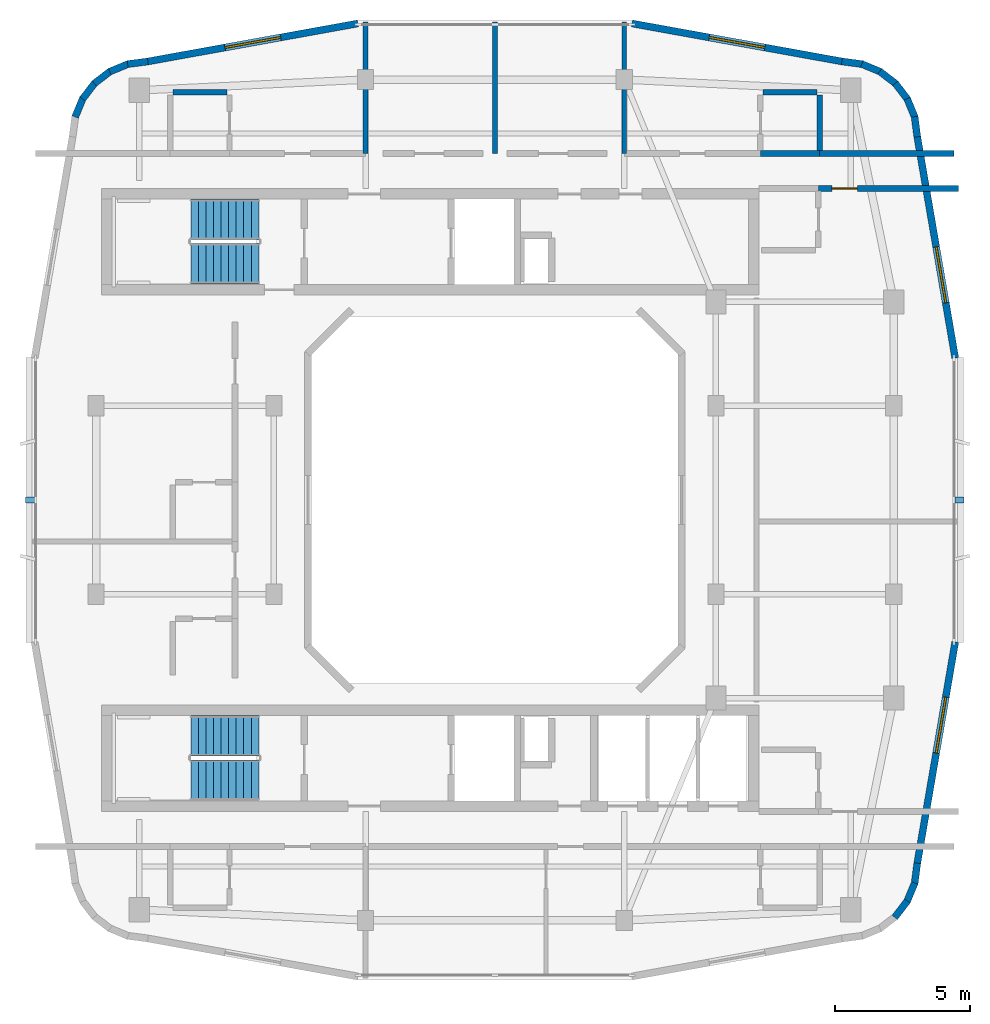
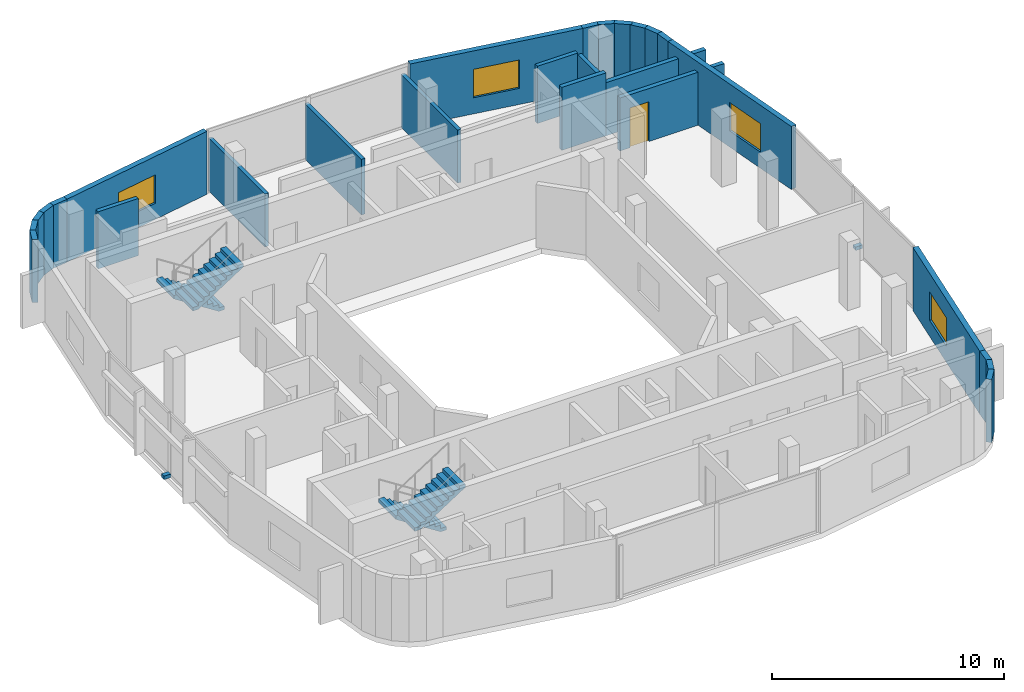
# One storey, part 6 of 8: 27 walls, 4 stair flights, 4 windows, 2 discrete accessories, 1 door, 5 openings, 2 elements without a shape of their own.
"""IFC4 building model written with IfcOpenShell, lengths in metres."""

from ifc_helpers import new_model, si_unit, derived_unit, direction, frame, frame_2d, origin, origin_2d, place, context, subcontext, project, spatial, polyline, rectangle, outline, extrude, material, layer, layer_set, type_object, element, fill, aggregate, save


model = new_model("IFC4")

# Units and contexts
model_context = context("Model", 3, precision=1e-05, world=origin(), true_north=direction((0.0, 1.0)))
body_context = subcontext(model_context, "Body", "Model", "MODEL_VIEW")
ifc_project = project(units=[si_unit("LENGTHUNIT", "METRE"), si_unit("AREAUNIT", "SQUARE_METRE"), si_unit("VOLUMEUNIT", "CUBIC_METRE"), si_unit("PLANEANGLEUNIT", "RADIAN"), si_unit("MASSUNIT", "GRAM", prefix="KILO"), derived_unit("THERMALTRANSMITTANCEUNIT", [(si_unit("POWERUNIT", "WATT"), 1), (si_unit("LENGTHUNIT", "METRE"), -2), (si_unit("THERMODYNAMICTEMPERATUREUNIT", "KELVIN"), -1)])], contexts=[model_context])

# Site, building, storey
site_placement = place(None, origin())
site = spatial("IfcSite", under=ifc_project, at=site_placement, CompositionType="ELEMENT")
building_placement = place(site_placement, origin())
building = spatial("IfcBuilding", under=site, at=building_placement, Name="Kivonza Crest Hotel", CompositionType="ELEMENT")
storey_placement = place(building_placement, frame((0.0, 0.0, 261.199951171875)))
storey = spatial("IfcBuildingStorey", under=building, at=storey_placement, Name="L71", CompositionType="ELEMENT", Elevation=261.199951171875)

# Walls
ifc_material_1 = material(Name="High-density acoustic masonry inter-tenancy wall", Category="masonry")
ifc_layer_1 = layer(ifc_material_1, 0.179931640625)
ifc_layer_set_1 = layer_set([ifc_layer_1], Name="High-density acoustic masonry inter-tenancy wall")
wall_type_1 = type_object("IfcWallType", Name="WL-ACOU-180", PredefinedType="SOLIDWALL", material=ifc_layer_set_1)
wall_1_placement = place(storey_placement, frame((16.199951171875, 37.860107421875, 0.0), z_axis=(0.0, 0.0, 1.0), x_axis=(0.0, 1.0, 0.0)))
element("IfcWall", 1, at=wall_1_placement, inside=storey, type_object=wall_type_1, Name="L71 interior partition WA-L71-T1N-DIV1", PredefinedType="SOLIDWALL", context=body_context, shape_type="SweptSolid", body=[
    extrude(rectangle(XDim=4.8798828125, YDim=0.179931640625, at=frame_2d((2.43994140625, 0.0))), origin(), (0.0, 0.0, 1.0), 2.795166015625),
])
wall_2_placement = place(storey_placement, frame((21.0, 37.860107421875, 0.0), z_axis=(0.0, 0.0, 1.0), x_axis=(0.0, 1.0, 0.0)))
element("IfcWall", 2, at=wall_2_placement, inside=storey, type_object=wall_type_1, Name="L71 interior partition WA-L71-T1N-SPDIV70", PredefinedType="SOLIDWALL", context=body_context, shape_type="SweptSolid", body=[
    extrude(rectangle(XDim=4.8798828125, YDim=0.179931640625, at=frame_2d((2.43994140625, 0.0))), origin(), (0.0, 0.0, 1.0), 2.93505859375),
])
wall_3_placement = place(storey_placement, frame((25.800048828125, 37.860107421875, 0.0), z_axis=(0.0, 0.0, 1.0), x_axis=(0.0, 1.0, 0.0)))
element("IfcWall", 3, at=wall_3_placement, inside=storey, type_object=wall_type_1, Name="L71 interior partition WA-L71-T1N-DIV2", PredefinedType="SOLIDWALL", context=body_context, shape_type="SweptSolid", body=[
    extrude(rectangle(XDim=4.8798828125, YDim=0.179931640625, at=frame_2d((2.43994140625, 0.0))), origin(), (0.0, 0.0, 1.0), 2.795166015625),
])
ifc_material_2 = material(Name="Autoclaved aerated concrete blockwork", Category="masonry")
ifc_layer_2 = layer(ifc_material_2, 0.219970703125)
ifc_layer_set_2 = layer_set([ifc_layer_2], Name="Autoclaved aerated concrete blockwork")
wall_type_2 = type_object("IfcWallType", Name="WL-ACOU-220", PredefinedType="SOLIDWALL", material=ifc_layer_set_2)
wall_4_placement = place(storey_placement, frame((33.050048828125, 37.860107421875, 0.0), z_axis=(0.0, 0.0, 1.0), x_axis=(1.0, 0.0, 0.0)))
element("IfcWall", 4, at=wall_4_placement, inside=storey, type_object=wall_type_2, Name="L71 interior partition WA-L71-N02-XCORR", PredefinedType="SOLIDWALL", context=body_context, shape_type="SweptSolid", body=[
    extrude(rectangle(XDim=4.989990234375, YDim=0.219970703125, at=frame_2d((2.4951171875, 0.0))), origin(), (0.0, 0.0, 1.0), 2.795166015625),
])
wall_5_placement = place(storey_placement, frame((30.85009765625, 37.860107421875, 0.0), z_axis=(0.0, 0.0, 1.0), x_axis=(1.0, 0.0, 0.0)))
element("IfcWall", 5, at=wall_5_placement, inside=storey, type_object=wall_type_2, Name="L71 interior partition WA-L71-N02-BCORR", PredefinedType="SOLIDWALL", context=body_context, shape_type="SweptSolid", body=[
    extrude(rectangle(XDim=2.199951171875, YDim=0.219970703125, at=frame_2d((1.10009765625, 0.0))), origin(), (0.0, 0.0, 1.0), 3.320068359375),
])

# Wall, opening, door
wall_6_placement = place(storey_placement, frame((33.0, 36.56005859375, 0.0), z_axis=(0.0, 0.0, 1.0), x_axis=(1.0, 0.0, 0.0)))
wall_6 = element("IfcWall", 6, at=wall_6_placement, inside=storey, type_object=wall_type_2, Name="L71 interior partition WA-L71-EN08-MCORR", PredefinedType="SOLIDWALL", context=body_context, shape_type="SweptSolid", body=[
    extrude(rectangle(XDim=5.199951171875, YDim=0.219970703125, at=frame_2d((2.60009765625, 0.0))), origin(), (0.0, 0.0, 1.0), 2.795166015625),
])
opening_1_placement = place(wall_6_placement, frame((0.5, 0.0, 0.0)))
opening_1 = element("IfcOpeningElement", 7, at=opening_1_placement, cuts=wall_6, Name="Opening DU-60", PredefinedType="OPENING", context=body_context, shape_type="SweptSolid", body=[
    extrude(rectangle(XDim=0.949951171875, YDim=2.10009765625, at=frame_2d((0.47509765625, 1.050048828125))), frame((0.0, 0.1201171875, 0.0), z_axis=(0.0, -1.0, 0.0), x_axis=(1.0, 0.0, 0.0)), (0.0, 0.0, 1.0), 0.239990234375),
])
ifc_material_3 = material(Name="Hardwood timber oak", Category="wood")
door_type = type_object("IfcDoorType", Name="DR-UNIT-950", OperationType="NOTDEFINED", PredefinedType="DOOR", material=ifc_material_3)
door_placement = place(opening_1_placement, frame((0.949951171875, 0.0, 0.0), z_axis=(0.0, 0.0, 1.0), x_axis=(-1.0, 0.0, 0.0)))
door = element("IfcDoor", 8, at=door_placement, inside=storey, type_object=door_type, Name="L71 EN08 guest unit entrance fire door", OperationType="SINGLE_SWING_LEFT", OverallHeight=2.10009765625, OverallWidth=0.949951171875, PredefinedType="DOOR", context=body_context, shape_type="SweptSolid", body=[
    extrude(rectangle(XDim=0.949951171875, YDim=2.10009765625, at=frame_2d((0.47509765625, 1.050048828125))), frame((0.0, 0.02490234375, 0.0), z_axis=(0.0, -1.0, 0.0), x_axis=(1.0, 0.0, 0.0)), (0.0, 0.0, 1.0), 0.050048828125),
])
fill(opening_1, door)

# Walls
ifc_material_4 = material(Name="Precast concrete C40/50", Category="concrete")
ifc_layer_3 = layer(ifc_material_4, 0.260009765625)
ifc_layer_set_3 = layer_set([ifc_layer_3], Name="Precast concrete C40/50")
wall_type_3 = type_object("IfcWallType", Name="WL-EXT-260", PredefinedType="STANDARD", material=ifc_layer_set_3)
for number, where, z_axis, x_axis, name in (
    (9, (35.8330078125, 9.508056640625, 0.0), (0.0, 0.0, 1.0), (0.607614460654, 0.794232124259, 0.0), "L71 T1 exterior insulated wall 13"),
    (10, (36.281005859375, 10.076904296875, 0.0), (0.0, 0.0, 1.0), (0.383245345798, 0.923646580096, 0.0), "L71 T1 exterior insulated wall 14"),
):
    element("IfcWall", number, at=place(storey_placement, frame(where, z_axis=z_axis, x_axis=x_axis)), inside=storey, type_object=wall_type_3, Name=name, PredefinedType="STANDARD", context=body_context, shape_type="SweptSolid", body=[
        extrude(rectangle(XDim=0.77197265625, YDim=0.260009765625, at=frame_2d((0.385986328125, 0.0))), origin(), (0.0, 0.0, 1.0), 3.320068359375),
    ])
wall_7_placement = place(storey_placement, frame((36.569091796875, 10.740966796875, 0.0), z_axis=(0.0, 0.0, 1.0), x_axis=(0.130302751316, 0.991474252313, 0.0)))
element("IfcWall", 11, at=wall_7_placement, inside=storey, type_object=wall_type_3, Name="L71 T1 exterior insulated wall 15", PredefinedType="STANDARD", context=body_context, shape_type="SweptSolid", body=[
    extrude(rectangle(XDim=0.790771484375, YDim=0.260009765625, at=frame_2d((0.3955078125, 0.0))), origin(), (0.0, 0.0, 1.0), 3.320068359375),
])

# Wall, opening, window
wall_8_placement = place(storey_placement, frame((36.6708984375, 11.513916015625, 0.0), z_axis=(0.0, 0.0, 1.0), x_axis=(0.169038545376, 0.985609440994, 0.0)))
wall_8 = element("IfcWall", 12, at=wall_8_placement, inside=storey, type_object=wall_type_3, Name="L71 T1 exterior insulated wall 16", PredefinedType="STANDARD", context=body_context, shape_type="SweptSolid", body=[
    extrude(rectangle(XDim=8.34228515625, YDim=0.260009765625, at=frame_2d((4.171142578125, 0.0))), origin(), (0.0, 0.0, 1.0), 3.320068359375),
])
opening_2_placement = place(wall_8_placement, frame((4.156005859375, 0.0, 0.85009765625)))
opening_2 = element("IfcOpeningElement", 13, at=opening_2_placement, cuts=wall_8, Name="Opening WN-04", PredefinedType="OPENING", context=body_context, shape_type="SweptSolid", body=[
    extrude(rectangle(XDim=2.10009765625, YDim=1.5, at=frame_2d((1.050048828125, 0.75))), frame((0.0, 0.14013671875, 0.0), z_axis=(0.0, -1.0, 0.0), x_axis=(1.0, 0.0, 0.0)), (0.0, 0.0, 1.0), 0.280029296875),
])
ifc_material_5 = material(Name="Thermally broken bronze aluminium and low-E double glazing", Category="aluminium")
window_type = type_object("IfcWindowType", Name="WN-210x150", PartitioningType="DOUBLE_PANEL_VERTICAL", PredefinedType="WINDOW", material=ifc_material_5)
window_1_placement = place(opening_2_placement, origin())
window_1 = element("IfcWindow", 14, at=window_1_placement, inside=storey, type_object=window_type, Name="L71 T1 facade window 16", OverallHeight=1.5, OverallWidth=2.10009765625, PartitioningType="SINGLE_PANEL", PredefinedType="WINDOW", context=body_context, shape_type="SweptSolid", body=[
    extrude(rectangle(XDim=2.10009765625, YDim=1.5, at=frame_2d((1.050048828125, 0.75))), frame((0.0, 0.030029296875, 0.0), z_axis=(0.0, -1.0, 0.0), x_axis=(1.0, 0.0, 0.0)), (0.0, 0.0, 1.0), 0.06005859375),
])
fill(opening_2, window_1)

wall_9_placement = place(storey_placement, frame((38.0810546875, 30.263916015625, 0.0), z_axis=(0.0, 0.0, 1.0), x_axis=(-0.169038545376, 0.985609440994, 0.0)))
wall_9 = element("IfcWall", 15, at=wall_9_placement, inside=storey, type_object=wall_type_3, Name="L71 T1 exterior insulated wall 18", PredefinedType="STANDARD", context=body_context, shape_type="SweptSolid", body=[
    extrude(rectangle(XDim=8.34228515625, YDim=0.260009765625, at=frame_2d((4.171142578125, 0.0))), origin(), (0.0, 0.0, 1.0), 3.320068359375),
])
opening_3_placement = place(wall_9_placement, frame((2.0869140625, 0.0, 0.85009765625)))
opening_3 = element("IfcOpeningElement", 16, at=opening_3_placement, cuts=wall_9, Name="Opening WN-04", PredefinedType="OPENING", context=body_context, shape_type="SweptSolid", body=[
    extrude(rectangle(XDim=2.10009765625, YDim=1.5, at=frame_2d((1.050048828125, 0.75))), frame((0.0, 0.14013671875, 0.0), z_axis=(0.0, -1.0, 0.0), x_axis=(1.0, 0.0, 0.0)), (0.0, 0.0, 1.0), 0.280029296875),
])
window_2_placement = place(opening_3_placement, origin())
window_2 = element("IfcWindow", 17, at=window_2_placement, inside=storey, type_object=window_type, Name="L71 T1 facade window 18", OverallHeight=1.5, OverallWidth=2.10009765625, PartitioningType="SINGLE_PANEL", PredefinedType="WINDOW", context=body_context, shape_type="SweptSolid", body=[
    extrude(rectangle(XDim=2.10009765625, YDim=1.5, at=frame_2d((1.050048828125, 0.75))), frame((0.0, 0.030029296875, 0.0), z_axis=(0.0, -1.0, 0.0), x_axis=(1.0, 0.0, 0.0)), (0.0, 0.0, 1.0), 0.06005859375),
])
fill(opening_3, window_2)

# Walls
wall_10_placement = place(storey_placement, frame((36.672119140625, 38.47509765625, 0.0), z_axis=(0.0, 0.0, 1.0), x_axis=(-0.131190038694, 0.991357238208, 0.0)))
element("IfcWall", 18, at=wall_10_placement, inside=storey, type_object=wall_type_3, Name="L71 T1 exterior insulated wall 19", PredefinedType="STANDARD", context=body_context, shape_type="SweptSolid", body=[
    extrude(rectangle(XDim=0.755615234375, YDim=0.260009765625, at=frame_2d((0.3779296875, 0.0))), origin(), (0.0, 0.0, 1.0), 3.320068359375),
])
wall_11_placement = place(storey_placement, frame((36.591064453125, 39.177978515625, 0.0), z_axis=(0.0, 0.0, 1.0), x_axis=(-0.383515061956, 0.923534621578, 0.0)))
element("IfcWall", 19, at=wall_11_placement, inside=storey, type_object=wall_type_3, Name="L71 T1 exterior insulated wall 20", PredefinedType="STANDARD", context=body_context, shape_type="SweptSolid", body=[
    extrude(rectangle(XDim=0.772216796875, YDim=0.260009765625, at=frame_2d((0.38623046875, 0.0))), origin(), (0.0, 0.0, 1.0), 3.320068359375),
])
for number, where, z_axis, x_axis, name in (
    (20, (36.322998046875, 39.85107421875, 0.0), (0.0, 0.0, 1.0), (-0.607614460654, 0.794232124259, 0.0), "L71 T1 exterior insulated wall 21"),
    (21, (35.89208984375, 40.43310546875, 0.0), (0.0, 0.0, 1.0), (-0.794232124259, 0.607614460654, 0.0), "L71 T1 exterior insulated wall 22"),
    (22, (35.322998046875, 40.881103515625, 0.0), (0.0, 0.0, 1.0), (-0.92360011591, 0.383357308384, 0.0), "L71 T1 exterior insulated wall 23"),
):
    element("IfcWall", number, at=place(storey_placement, frame(where, z_axis=z_axis, x_axis=x_axis)), inside=storey, type_object=wall_type_3, Name=name, PredefinedType="STANDARD", context=body_context, shape_type="SweptSolid", body=[
        extrude(rectangle(XDim=0.77197265625, YDim=0.260009765625, at=frame_2d((0.385986328125, 0.0))), origin(), (0.0, 0.0, 1.0), 3.320068359375),
    ])
wall_12_placement = place(storey_placement, frame((34.658935546875, 41.1689453125, 0.0), z_axis=(0.0, 0.0, 1.0), x_axis=(-0.991474252313, 0.130302751316, 0.0)))
element("IfcWall", 23, at=wall_12_placement, inside=storey, type_object=wall_type_3, Name="L71 T1 exterior insulated wall 24", PredefinedType="STANDARD", context=body_context, shape_type="SweptSolid", body=[
    extrude(rectangle(XDim=0.790771484375, YDim=0.260009765625, at=frame_2d((0.3955078125, 0.0))), origin(), (0.0, 0.0, 1.0), 3.320068359375),
])

# Wall, opening, window
wall_13_placement = place(storey_placement, frame((33.885009765625, 41.27099609375, 0.0), z_axis=(0.0, 0.0, 1.0), x_axis=(-0.984039441158, 0.177950493803, 0.0)))
wall_13 = element("IfcWall", 24, at=wall_13_placement, inside=storey, type_object=wall_type_3, Name="L71 T1 exterior insulated wall 25", PredefinedType="STANDARD", context=body_context, shape_type="SweptSolid", body=[
    extrude(rectangle(XDim=7.928466796875, YDim=0.260009765625, at=frame_2d((3.96435546875, 0.0))), origin(), (0.0, 0.0, 1.0), 3.320068359375),
])
opening_4_placement = place(wall_13_placement, frame((2.9140625, 0.0, 0.85009765625)))
opening_4 = element("IfcOpeningElement", 25, at=opening_4_placement, cuts=wall_13, Name="Opening WN-04", PredefinedType="OPENING", context=body_context, shape_type="SweptSolid", body=[
    extrude(rectangle(XDim=2.10009765625, YDim=1.5, at=frame_2d((1.050048828125, 0.75))), frame((0.0, 0.14013671875, 0.0), z_axis=(0.0, -1.0, 0.0), x_axis=(1.0, 0.0, 0.0)), (0.0, 0.0, 1.0), 0.280029296875),
])
window_3_placement = place(opening_4_placement, origin())
window_3 = element("IfcWindow", 26, at=window_3_placement, inside=storey, type_object=window_type, Name="L71 T1 facade window 25", OverallHeight=1.5, OverallWidth=2.10009765625, PartitioningType="SINGLE_PANEL", PredefinedType="WINDOW", context=body_context, shape_type="SweptSolid", body=[
    extrude(rectangle(XDim=2.10009765625, YDim=1.5, at=frame_2d((1.050048828125, 0.75))), frame((0.0, 0.030029296875, 0.0), z_axis=(0.0, -1.0, 0.0), x_axis=(1.0, 0.0, 0.0)), (0.0, 0.0, 1.0), 0.06005859375),
])
fill(opening_4, window_3)

wall_14_placement = place(storey_placement, frame((15.9169921875, 42.681884765625, 0.0), z_axis=(0.0, 0.0, 1.0), x_axis=(-0.984039441158, -0.177950493803, 0.0)))
wall_14 = element("IfcWall", 27, at=wall_14_placement, inside=storey, type_object=wall_type_3, Name="L71 T1 exterior insulated wall 27", PredefinedType="STANDARD", context=body_context, shape_type="SweptSolid", body=[
    extrude(rectangle(XDim=7.928466796875, YDim=0.260009765625, at=frame_2d((3.96435546875, 0.0))), origin(), (0.0, 0.0, 1.0), 3.320068359375),
])
opening_5_placement = place(wall_14_placement, frame((2.9140625, 0.0, 0.85009765625)))
opening_5 = element("IfcOpeningElement", 28, at=opening_5_placement, cuts=wall_14, Name="Opening WN-04", PredefinedType="OPENING", context=body_context, shape_type="SweptSolid", body=[
    extrude(rectangle(XDim=2.10009765625, YDim=1.5, at=frame_2d((1.050048828125, 0.75))), frame((0.0, 0.14013671875, 0.0), z_axis=(0.0, -1.0, 0.0), x_axis=(1.0, 0.0, 0.0)), (0.0, 0.0, 1.0), 0.280029296875),
])
window_4_placement = place(opening_5_placement, origin())
window_4 = element("IfcWindow", 29, at=window_4_placement, inside=storey, type_object=window_type, Name="L71 T1 facade window 27", OverallHeight=1.5, OverallWidth=2.10009765625, PartitioningType="SINGLE_PANEL", PredefinedType="WINDOW", context=body_context, shape_type="SweptSolid", body=[
    extrude(rectangle(XDim=2.10009765625, YDim=1.5, at=frame_2d((1.050048828125, 0.75))), frame((0.0, 0.030029296875, 0.0), z_axis=(0.0, -1.0, 0.0), x_axis=(1.0, 0.0, 0.0)), (0.0, 0.0, 1.0), 0.06005859375),
])
fill(opening_5, window_4)

# Walls
wall_15_placement = place(storey_placement, frame((8.125, 41.27197265625, 0.0), z_axis=(0.0, 0.0, 1.0), x_axis=(-0.99139921394, -0.130872451645, 0.0)))
element("IfcWall", 30, at=wall_15_placement, inside=storey, type_object=wall_type_3, Name="L71 T1 exterior insulated wall 28", PredefinedType="STANDARD", context=body_context, shape_type="SweptSolid", body=[
    extrude(rectangle(XDim=0.755615234375, YDim=0.260009765625, at=frame_2d((0.3779296875, 0.0))), origin(), (0.0, 0.0, 1.0), 3.320068359375),
])
for number, where, z_axis, x_axis, name in (
    (31, (7.422119140625, 41.19091796875, 0.0), (0.0, 0.0, 1.0), (-0.923646580096, -0.383245345798, 0.0), "L71 T1 exterior insulated wall 29"),
    (32, (6.7490234375, 40.923095703125, 0.0), (0.0, 0.0, 1.0), (-0.794232124259, -0.607614460654, 0.0), "L71 T1 exterior insulated wall 30"),
    (33, (6.1669921875, 40.491943359375, 0.0), (0.0, 0.0, 1.0), (-0.607614460654, -0.794232124259, 0.0), "L71 T1 exterior insulated wall 31"),
    (34, (5.718994140625, 39.923095703125, 0.0), (0.0, 0.0, 1.0), (-0.383245345798, -0.923646580096, 0.0), "L71 T1 exterior insulated wall 32"),
):
    element("IfcWall", number, at=place(storey_placement, frame(where, z_axis=z_axis, x_axis=x_axis)), inside=storey, type_object=wall_type_3, Name=name, PredefinedType="STANDARD", context=body_context, shape_type="SweptSolid", body=[
        extrude(rectangle(XDim=0.77197265625, YDim=0.260009765625, at=frame_2d((0.385986328125, 0.0))), origin(), (0.0, 0.0, 1.0), 3.320068359375),
    ])
ifc_material_6 = material(Name="Moisture-resistant plumbing chase partition wall", Category="gypsum")
ifc_layer_4 = layer(ifc_material_6, 0.199951171875)
ifc_layer_set_4 = layer_set([ifc_layer_4], Name="Moisture-resistant plumbing chase partition wall")
wall_type_4 = type_object("IfcWallType", Name="WL-PLUMB-200", PredefinedType="PLUMBINGWALL", material=ifc_layer_set_4)
for number, where, z_axis, x_axis, name in (
    (35, (9.050048828125, 40.132080078125, 0.0), (0.0, 0.0, 1.0), (1.0, 0.0, 0.0), "L71 interior partition WW-L71-N01-BH"),
    (36, (30.949951171875, 40.132080078125, 0.0), (0.0, 0.0, 1.0), (1.0, 0.0, 0.0), "L71 interior partition WW-L71-N02-BH"),
):
    element("IfcWall", number, at=place(storey_placement, frame(where, z_axis=z_axis, x_axis=x_axis)), inside=storey, type_object=wall_type_4, Name=name, PredefinedType="PLUMBINGWALL", context=body_context, shape_type="SweptSolid", body=[
        extrude(rectangle(XDim=2.0, YDim=0.199951171875, at=frame_2d((1.0, 0.0))), origin(), (0.0, 0.0, 1.0), 3.01513671875),
    ])
wall_16_placement = place(storey_placement, frame((33.050048828125, 37.9599609375, 0.0), z_axis=(0.0, 0.0, 1.0), x_axis=(0.0, 1.0, 0.0)))
element("IfcWall", 37, at=wall_16_placement, inside=storey, type_object=wall_type_4, Name="L71 interior partition WW-L71-N02-BVE", PredefinedType="PLUMBINGWALL", context=body_context, shape_type="SweptSolid", body=[
    extrude(rectangle(XDim=2.072021484375, YDim=0.199951171875, at=frame_2d((1.0361328125, 0.0))), origin(), (0.0, 0.0, 1.0), 2.93505859375),
])

# Stair, stair flights
ifc_material_7 = material(Name="Concrete C40/50", Category="concrete")
stair_type = type_object("IfcStairType", Name="ST-DL-20R", PredefinedType="HALF_TURN_STAIR", material=ifc_material_7)
stair_1_placement = place(storey_placement, origin())
stair_1 = element("IfcStair", 38, at=stair_1_placement, inside=storey, type_object=stair_type, Name="L71 Protected Exit Stair ST-T1-N", PredefinedType="HALF_TURN_STAIR")
stair_flight_type = type_object("IfcStairFlightType", Name="SFL-RC-10R", PredefinedType="STRAIGHT", material=ifc_material_7)
stair_flight_1_placement = place(storey_placement, frame((12.239990234375, 35.409912109375, 0.0), z_axis=(0.0, 0.0, 1.0), x_axis=(-1.0, 0.0, 0.0)))
stair_flight_1 = element("IfcStairFlight", 39, at=stair_flight_1_placement, type_object=stair_flight_type, Name="ST-T1-N flight 1", NumberOfRisers=10, NumberOfTreads=9, PredefinedType="STRAIGHT", RiserHeight=0.18, TreadLength=0.28, context=body_context, shape_type="SweptSolid", body=[
    extrude(outline(polyline([(0.0, 0.0), (0.0, 0.179931640625), (0.280029296875, 0.179931640625), (0.280029296875, 0.360107421875), (0.56005859375, 0.360107421875), (0.56005859375, 0.5400390625), (0.840087890625, 0.5400390625), (0.840087890625, 0.719970703125), (1.1201171875, 0.719970703125), (1.1201171875, 0.89990234375), (1.39990234375, 0.89990234375), (1.39990234375, 1.080078125), (1.679931640625, 1.080078125), (1.679931640625, 1.260009765625), (1.9599609375, 1.260009765625), (1.9599609375, 1.43994140625), (2.239990234375, 1.43994140625), (2.239990234375, 1.6201171875), (2.52001953125, 1.6201171875), (2.52001953125, 1.800048828125), (2.52001953125, 1.44189453125), (0.277099609375, 0.0), (0.0, 0.0)])), frame((0.0, 0.75, 0.0), z_axis=(0.0, -1.0, 0.0), x_axis=(1.0, 0.0, 0.0)), (0.0, 0.0, 1.0), 1.5),
])
stair_flight_2_placement = place(storey_placement, frame((9.719970703125, 33.77001953125, 1.800048828125), z_axis=(0.0, 0.0, 1.0), x_axis=(1.0, 0.0, 0.0)))
stair_flight_2 = element("IfcStairFlight", 40, at=stair_flight_2_placement, type_object=stair_flight_type, Name="ST-T1-N flight 2", NumberOfRisers=10, NumberOfTreads=9, PredefinedType="STRAIGHT", RiserHeight=0.18, TreadLength=0.28, context=body_context, shape_type="SweptSolid", body=[
    extrude(outline(polyline([(0.0, 0.0), (0.0, 0.179931640625), (0.280029296875, 0.179931640625), (0.280029296875, 0.360107421875), (0.56005859375, 0.360107421875), (0.56005859375, 0.5400390625), (0.840087890625, 0.5400390625), (0.840087890625, 0.719970703125), (1.1201171875, 0.719970703125), (1.1201171875, 0.89990234375), (1.39990234375, 0.89990234375), (1.39990234375, 1.080078125), (1.679931640625, 1.080078125), (1.679931640625, 1.260009765625), (1.9599609375, 1.260009765625), (1.9599609375, 1.43994140625), (2.239990234375, 1.43994140625), (2.239990234375, 1.6201171875), (2.52001953125, 1.6201171875), (2.52001953125, 1.800048828125), (2.52001953125, 1.44189453125), (0.277099609375, 0.0), (0.0, 0.0)])), frame((0.0, 0.75, 0.0), z_axis=(0.0, -1.0, 0.0), x_axis=(1.0, 0.0, 0.0)), (0.0, 0.0, 1.0), 1.5),
])
aggregate(stair_1, [stair_flight_1, stair_flight_2])

stair_2_placement = place(storey_placement, origin())
stair_2 = element("IfcStair", 41, at=stair_2_placement, inside=storey, type_object=stair_type, Name="L71 Protected Exit Stair ST-T1-S", PredefinedType="HALF_TURN_STAIR")
stair_flight_3_placement = place(storey_placement, frame((12.239990234375, 16.25, 0.0), z_axis=(0.0, 0.0, 1.0), x_axis=(-1.0, 0.0, 0.0)))
stair_flight_3 = element("IfcStairFlight", 42, at=stair_flight_3_placement, type_object=stair_flight_type, Name="ST-T1-S flight 1", NumberOfRisers=10, NumberOfTreads=9, PredefinedType="STRAIGHT", RiserHeight=0.18, TreadLength=0.28, context=body_context, shape_type="SweptSolid", body=[
    extrude(outline(polyline([(0.0, 0.0), (0.0, 0.179931640625), (0.280029296875, 0.179931640625), (0.280029296875, 0.360107421875), (0.56005859375, 0.360107421875), (0.56005859375, 0.5400390625), (0.840087890625, 0.5400390625), (0.840087890625, 0.719970703125), (1.1201171875, 0.719970703125), (1.1201171875, 0.89990234375), (1.39990234375, 0.89990234375), (1.39990234375, 1.080078125), (1.679931640625, 1.080078125), (1.679931640625, 1.260009765625), (1.9599609375, 1.260009765625), (1.9599609375, 1.43994140625), (2.239990234375, 1.43994140625), (2.239990234375, 1.6201171875), (2.52001953125, 1.6201171875), (2.52001953125, 1.800048828125), (2.52001953125, 1.44189453125), (0.277099609375, 0.0), (0.0, 0.0)])), frame((0.0, 0.75, 0.0), z_axis=(0.0, -1.0, 0.0), x_axis=(1.0, 0.0, 0.0)), (0.0, 0.0, 1.0), 1.5),
])
stair_flight_4_placement = place(storey_placement, frame((9.719970703125, 14.610107421875, 1.800048828125), z_axis=(0.0, 0.0, 1.0), x_axis=(1.0, 0.0, 0.0)))
stair_flight_4 = element("IfcStairFlight", 43, at=stair_flight_4_placement, type_object=stair_flight_type, Name="ST-T1-S flight 2", NumberOfRisers=10, NumberOfTreads=9, PredefinedType="STRAIGHT", RiserHeight=0.18, TreadLength=0.28, context=body_context, shape_type="SweptSolid", body=[
    extrude(outline(polyline([(0.0, 0.0), (0.0, 0.179931640625), (0.280029296875, 0.179931640625), (0.280029296875, 0.360107421875), (0.56005859375, 0.360107421875), (0.56005859375, 0.5400390625), (0.840087890625, 0.5400390625), (0.840087890625, 0.719970703125), (1.1201171875, 0.719970703125), (1.1201171875, 0.89990234375), (1.39990234375, 0.89990234375), (1.39990234375, 1.080078125), (1.679931640625, 1.080078125), (1.679931640625, 1.260009765625), (1.9599609375, 1.260009765625), (1.9599609375, 1.43994140625), (2.239990234375, 1.43994140625), (2.239990234375, 1.6201171875), (2.52001953125, 1.6201171875), (2.52001953125, 1.800048828125), (2.52001953125, 1.44189453125), (0.277099609375, 0.0), (0.0, 0.0)])), frame((0.0, 0.75, 0.0), z_axis=(0.0, -1.0, 0.0), x_axis=(1.0, 0.0, 0.0)), (0.0, 0.0, 1.0), 1.5),
])
aggregate(stair_2, [stair_flight_3, stair_flight_4])

# Discrete accessories
ifc_material_8 = material(Name="Stainless steel 316", Category="steel")
discrete_accessory_type = type_object("IfcDiscreteAccessoryType", Name="AC-BRACKET-240", PredefinedType="BRACKET", material=ifc_material_8)
for number, where, z_axis, x_axis, name in (
    (44, (38.239990234375, 25.0, -0.009765625), (0.0, 0.0, 1.0), (0.0, 1.0, 0.0), "L71 terracotta baguette support bracket CW-T1-L71-17"),
    (45, (3.760009765625, 25.0, -0.009765625), (0.0, 0.0, 1.0), (0.0, -1.0, 0.0), "L71 terracotta baguette support bracket CW-T1-L71-35"),
):
    element("IfcDiscreteAccessory", number, at=place(storey_placement, frame(where, z_axis=z_axis, x_axis=x_axis)), inside=storey, type_object=discrete_accessory_type, Name=name, PredefinedType="BRACKET", context=body_context, shape_type="SweptSolid", body=[
        extrude(rectangle(XDim=0.219970703125, YDim=0.340087890625, at=origin_2d()), origin(), (0.0, 0.0, 1.0), 0.179931640625),
    ])

save(model, "model.ifc")
